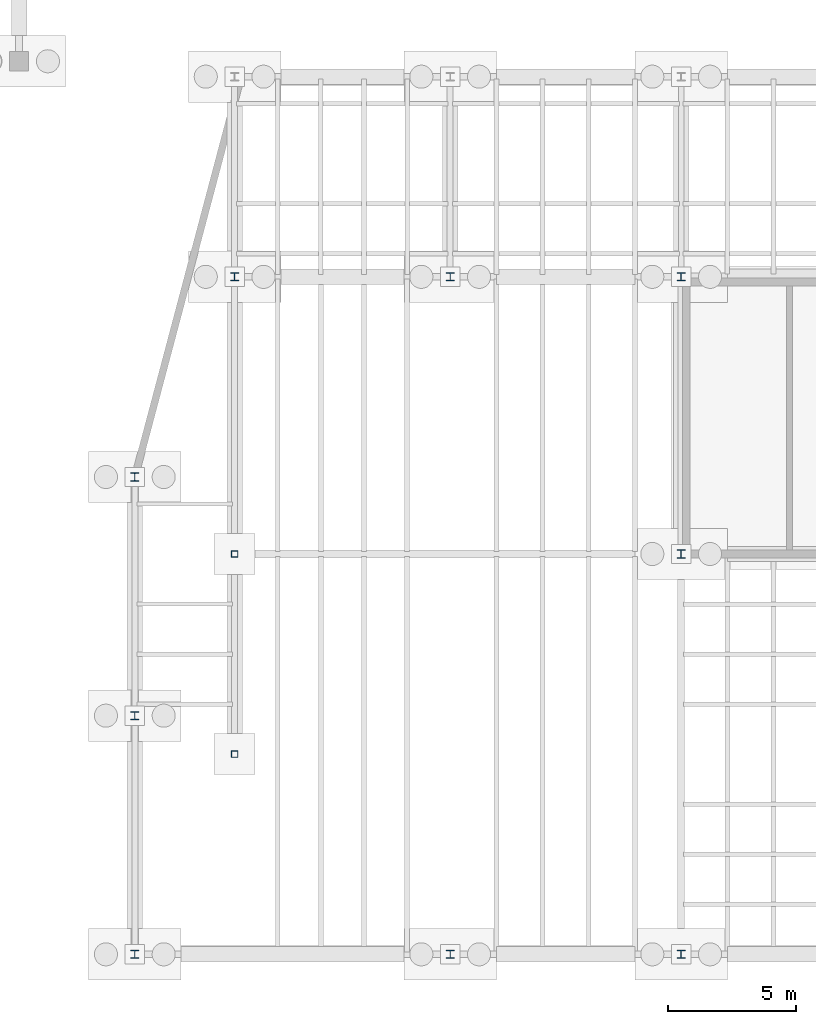
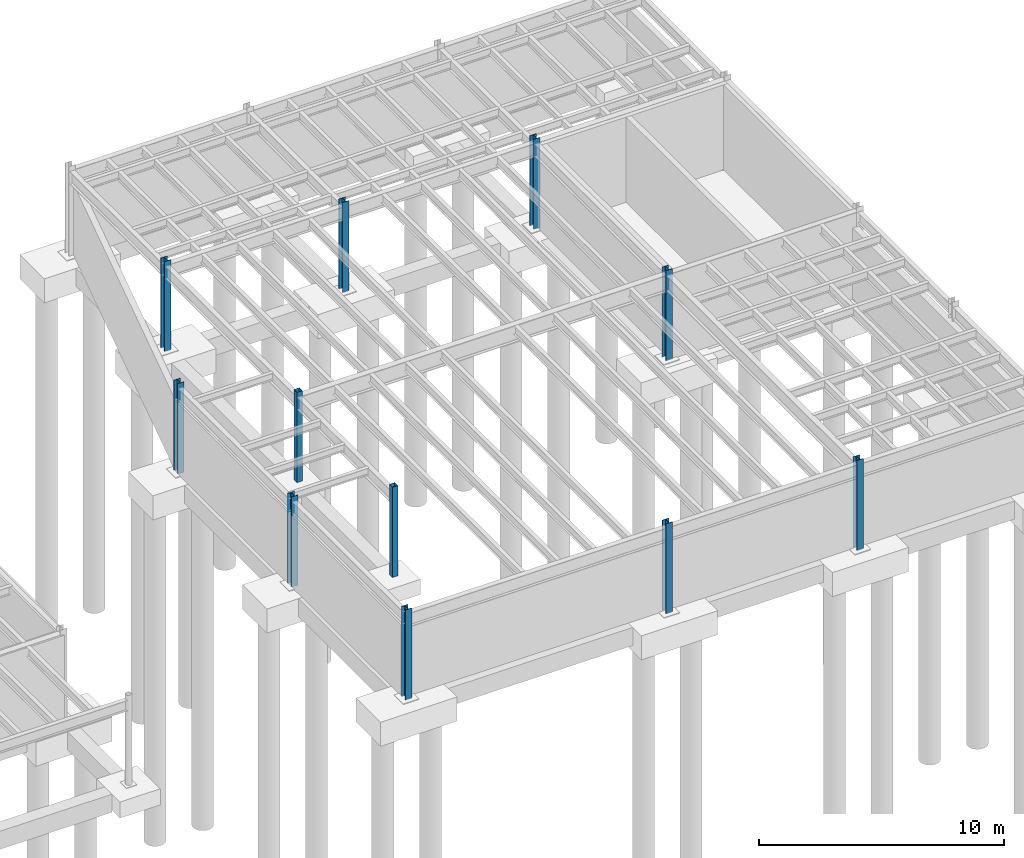
# One storey, part 21 of 41: 11 columns.
"""IFC4 building model written with IfcOpenShell, lengths in metres."""

import ifcopenshell
import ifcopenshell.guid

model = None  # the IFC model being written
_history = None  # IfcOwnerHistory: only IFC2X3 demands one
_inside = {}  # id of a spatial element -> (the spatial element, [elements in it])
_under = {}  # id of a project, library or spatial element -> (it, [spatial elements below it])
_declared = {}  # id of a project -> (the project, [libraries it declares])
_typed = {}  # id of a type object -> (the type object, [elements of that type])
_made_of = {}  # id of a material, layer set ... -> (it, [elements and type objects made of it])


def new_model(schema):
    """Start an empty IFC model of exactly this schema.

    Asked for "IFC4X3", IfcOpenShell would pick the latest addendum, in which some entities
    have other attributes; the version numbers below select the first issue.
    IFC2X3 requires an IfcOwnerHistory on every rooted entity: one is made here for all.
    """
    global model, _history
    if schema == "IFC4X3":
        model = ifcopenshell.file(schema_version=(4, 3, 0, 0))
    else:
        model = ifcopenshell.file(schema=schema)
    _inside.clear()
    _under.clear()
    _declared.clear()
    _typed.clear()
    _made_of.clear()
    _history = None
    if model.schema == "IFC2X3":
        org = make("IfcOrganization", Name="unknown")
        user = make(
            "IfcPersonAndOrganization",
            ThePerson=make("IfcPerson", FamilyName="unknown"),
            TheOrganization=org,
        )
        app = make(
            "IfcApplication",
            ApplicationDeveloper=org,
            Version="unknown",
            ApplicationFullName="unknown",
            ApplicationIdentifier="unknown",
        )
        _history = make(
            "IfcOwnerHistory",
            OwningUser=user,
            OwningApplication=app,
            ChangeAction="ADDED",
            CreationDate=0,
        )
    return model


def make(cls, **values):
    """One entity of the class cls with the attributes given. An attribute that is None is left unset."""
    return model.create_entity(
        cls, **{name: value for name, value in values.items() if value is not None}
    )


def rooted(cls, **values):
    """An entity with a GlobalId (a new one), such as an element, a storey or a relation."""
    return make(cls, GlobalId=ifcopenshell.guid.new(), OwnerHistory=_history, **values)


def si_unit(unit_type, name, prefix=None):
    """IfcSIUnit, for example si_unit("LENGTHUNIT", "METRE", prefix="MILLI")."""
    return make("IfcSIUnit", UnitType=unit_type, Prefix=prefix, Name=name)


def assignment(units):
    """IfcUnitAssignment: the units of a project."""
    return None if units is None else make("IfcUnitAssignment", Units=units)


def point(xyz):
    """IfcCartesianPoint."""
    return None if xyz is None else make("IfcCartesianPoint", Coordinates=xyz)


def direction(xyz):
    """IfcDirection."""
    return None if xyz is None else make("IfcDirection", DirectionRatios=xyz)


def frame(location, z_axis=None, x_axis=None):
    """IfcAxis2Placement3D, a coordinate frame: its origin and axes. An axis left out is left unset."""
    return make(
        "IfcAxis2Placement3D",
        Location=point(location),
        Axis=direction(z_axis),
        RefDirection=direction(x_axis),
    )


def frame_2d(location, x_axis=None):
    """IfcAxis2Placement2D, a coordinate frame in the plane: its origin and x axis."""
    return make(
        "IfcAxis2Placement2D", Location=point(location), RefDirection=direction(x_axis)
    )


def origin():
    """The frame at (0, 0, 0) with its axes left unset."""
    return frame((0.0, 0.0, 0.0))


def origin_2d():
    """The frame at (0, 0) in the plane with its x axis left unset."""
    return frame_2d((0.0, 0.0))


def place(relative_to, where):
    """IfcLocalPlacement: puts the frame where relative to a parent placement (None: the world)."""
    return make(
        "IfcLocalPlacement", PlacementRelTo=relative_to, RelativePlacement=where
    )


def context(
    kind, dimensions, precision=None, world=None, true_north=None, identifier=None
):
    """IfcGeometricRepresentationContext, for example the 3D "Model" context."""
    return make(
        "IfcGeometricRepresentationContext",
        ContextIdentifier=identifier,
        ContextType=kind,
        CoordinateSpaceDimension=dimensions,
        Precision=precision,
        WorldCoordinateSystem=world,
        TrueNorth=true_north,
    )


def subcontext(parent, identifier, kind, view, scale=None):
    """IfcGeometricRepresentationSubContext, for example "Body" below "Model"."""
    return make(
        "IfcGeometricRepresentationSubContext",
        ContextIdentifier=identifier,
        ContextType=kind,
        ParentContext=parent,
        TargetScale=scale,
        TargetView=view,
    )


def project(units=None, contexts=None):
    """IfcProject with its units and contexts."""
    return rooted(
        "IfcProject",
        Name="project",
        RepresentationContexts=contexts,
        UnitsInContext=assignment(units),
    )


def spatial(cls, under=None, at=None, **own):
    """A site, building, storey or space (cls), placed at a placement, below another one or the project."""
    s = rooted(cls, ObjectPlacement=at, **own)
    if under is not None:
        _under.setdefault(under.id(), (under, []))[1].append(s)
    return s


def profile(cls, at=None, kind="AREA", **sizes):
    """A parametric profile (cls). Its sizes go by their IFC names, for example OverallWidth=200.0."""
    return make(cls, ProfileType=kind, Position=at, **sizes)


def hollow_rectangle(**sizes):
    """IfcRectangleHollowProfileDef."""
    return profile("IfcRectangleHollowProfileDef", **sizes)


def i_section(**sizes):
    """IfcIShapeProfileDef."""
    return profile("IfcIShapeProfileDef", **sizes)


def extrude(swept, where, along, depth):
    """IfcExtrudedAreaSolid: the profile swept, set in the frame where, extruded along a direction by depth."""
    return make(
        "IfcExtrudedAreaSolid",
        SweptArea=swept,
        Position=where,
        ExtrudedDirection=direction(along),
        Depth=depth,
    )


def shape(context_of_items, identifier, shape_type, items):
    """IfcShapeRepresentation: the items that make up one representation, for example the "Body"."""
    return make(
        "IfcShapeRepresentation",
        ContextOfItems=context_of_items,
        RepresentationIdentifier=identifier,
        RepresentationType=shape_type,
        Items=items,
    )


def material(Name=None, Category=None):
    """IfcMaterial."""
    return make("IfcMaterial", Name=Name, Category=Category)


def material_profile(
    of_material, cross_section, Name=None, Category=None, Priority=None
):
    """IfcMaterialProfile: a cross section and its material."""
    return make(
        "IfcMaterialProfile",
        Name=Name,
        Material=of_material,
        Profile=cross_section,
        Priority=Priority,
        Category=Category,
    )


def profile_set(profiles, Name=None, composite=None):
    """IfcMaterialProfileSet."""
    return make(
        "IfcMaterialProfileSet",
        Name=Name,
        MaterialProfiles=profiles,
        CompositeProfile=composite,
    )


def made_of(thing, what):
    """Note that an element or type object is made of a material, layer set ...; save() writes the relation."""
    if what is not None:
        _made_of.setdefault(what.id(), (what, []))[1].append(thing)
    return thing


def type_object(cls, material=None, **own):
    """A type object (cls), such as IfcWallType, which elements share."""
    return made_of(rooted(cls, **own), material)


def element(
    cls,
    number,
    at=None,
    inside=None,
    cuts=None,
    type_object=None,
    material=None,
    context=None,
    identifier="Body",
    shape_type=None,
    held_by="IfcProductDefinitionShape",
    body=None,
    shapes=None,
    **own,
):
    """One element of the class cls, such as IfcWall. Its Tag is "e" and its number.

    at: its placement. inside: the storey or other place that contains it. cuts: it is an
    opening in that element (IfcRelVoidsElement). A single representation is given by context,
    identifier, shape_type and body (its items); several are given by shapes. held_by: the class
    of the entity that holds the representations. save() writes the other relations.
    """
    e = rooted(cls, Tag="e%d" % number, ObjectPlacement=at, **own)
    if body is not None:
        shapes = [shape(context, identifier, shape_type, body)]
    if shapes is not None:
        e.Representation = make(held_by, Representations=shapes)
    if inside is not None:
        _inside.setdefault(inside.id(), (inside, []))[1].append(e)
    if cuts is not None:
        rooted(
            "IfcRelVoidsElement", RelatingBuildingElement=cuts, RelatedOpeningElement=e
        )
    if type_object is not None:
        _typed.setdefault(type_object.id(), (type_object, []))[1].append(e)
    return made_of(e, material)


def aggregate(whole, parts):
    """IfcRelAggregates: a whole, such as a stair, and the parts it consists of."""
    return rooted("IfcRelAggregates", RelatingObject=whole, RelatedObjects=parts)


def save(model, path):
    """Write the relations noted so far, then the file.

    IfcRelAggregates (storeys below a building ...), IfcRelContainedInSpatialStructure (elements
    in a storey), IfcRelDefinesByType, IfcRelAssociatesMaterial and IfcRelDeclares: one each for
    every whole, place, type object, material and project.
    """
    for whole, parts in _under.values():
        aggregate(whole, parts)
    for where, things in _inside.values():
        rooted(
            "IfcRelContainedInSpatialStructure",
            RelatedElements=things,
            RelatingStructure=where,
        )
    for kind, things in _typed.values():
        rooted("IfcRelDefinesByType", RelatedObjects=things, RelatingType=kind)
    for what, things in _made_of.values():
        rooted("IfcRelAssociatesMaterial", RelatedObjects=things, RelatingMaterial=what)
    for by, libraries in _declared.values():
        rooted("IfcRelDeclares", RelatingContext=by, RelatedDefinitions=libraries)
    model.write(path)


model = new_model("IFC4")

# Units and contexts
model_context = context("Model", 3, precision=1e-05, world=origin(), true_north=direction((0.0, 1.0)))
body_context = subcontext(model_context, "Body", "Model", "MODEL_VIEW")
ifc_project = project(units=[si_unit("LENGTHUNIT", "METRE"), si_unit("AREAUNIT", "SQUARE_METRE"), si_unit("VOLUMEUNIT", "CUBIC_METRE"), si_unit("PLANEANGLEUNIT", "RADIAN"), si_unit("MASSUNIT", "GRAM", prefix="KILO")], contexts=[model_context])

# Site, building, storey
site_placement = place(None, origin())
site = spatial("IfcSite", under=ifc_project, at=site_placement, CompositionType="ELEMENT")
building_placement = place(site_placement, origin())
building = spatial("IfcBuilding", under=site, at=building_placement, Name="Selat Folded Stagehouse", CompositionType="ELEMENT")
storey_placement = place(building_placement, frame((0.0, 0.0, -4.5)))
storey = spatial("IfcBuildingStorey", under=building, at=storey_placement, Name="B1", CompositionType="ELEMENT", Elevation=-4.5)

# Columns
ifc_material = material(Name="Steel S355", Category="steel")
ifc_material_profile_1 = material_profile(ifc_material, i_section(OverallWidth=0.30908203125, OverallDepth=0.320556640625, WebThickness=0.013916015625, FlangeThickness=0.021728515625, FilletRadius=0.01513671875, at=origin_2d()), Name="UKC 305x305x137")
ifc_profile_set_1 = profile_set([ifc_material_profile_1], Name="Steel S355")
column_type_1 = type_object("IfcColumnType", Name="COL-UKC-305x305x137", PredefinedType="COLUMN", material=ifc_profile_set_1)
for number, where, z_axis, x_axis, name in (
    (1, (130.510498046875, 0.0, 0.0), (0.0, 0.0, 1.0), (1.0, 0.0, 0.0), "B1 column STK-V3-00"),
    (2, (130.510498046875, 9.300048828125, 0.0), (0.0, 0.0, 1.0), (1.0, 0.0, 0.0), "B1 column STK-V3-01"),
    (3, (130.510498046875, 18.60009765625, 0.0), (0.0, 0.0, 1.0), (1.0, 0.0, 0.0), "B1 column STK-V3-02"),
    (4, (134.39990234375, 26.39990234375, 0.0), (0.0, 0.0, 1.0), (1.0, 0.0, 0.0), "B1 column STK-V3-03"),
    (5, (142.800048828125, 0.0, 0.0), (0.0, 0.0, 1.0), (1.0, 0.0, 0.0), "B1 column STK-V3-05"),
    (6, (142.800048828125, 26.39990234375, 0.0), (0.0, 0.0, 1.0), (1.0, 0.0, 0.0), "B1 column STK-V3-06"),
    (7, (151.800048828125, 0.0, 0.0), (0.0, 0.0, 1.0), (1.0, 0.0, 0.0), "B1 column STK-V3-08"),
    (8, (151.800048828125, 15.60009765625, 0.0), (0.0, 0.0, 1.0), (1.0, 0.0, 0.0), "B1 column STK-V3-09"),
    (9, (151.800048828125, 26.39990234375, 0.0), (0.0, 0.0, 1.0), (1.0, 0.0, 0.0), "B1 column STK-V3-10"),
):
    element("IfcColumn", number, at=place(storey_placement, frame(where, z_axis=z_axis, x_axis=x_axis)), inside=storey, type_object=column_type_1, Name=name, PredefinedType="COLUMN", context=body_context, shape_type="SweptSolid", body=[
        extrude(i_section(OverallWidth=0.30908203125, OverallDepth=0.320556640625, WebThickness=0.013916015625, FlangeThickness=0.021728515625, FilletRadius=0.01513671875, at=origin_2d()), origin(), (0.0, 0.0, 1.0), 4.5),
    ])
ifc_material_profile_2 = material_profile(ifc_material, hollow_rectangle(XDim=0.25, YDim=0.25, WallThickness=0.012451171875, at=origin_2d()), Name="SHS 250x250x12.5")
ifc_profile_set_2 = profile_set([ifc_material_profile_2], Name="Steel S355")
column_type_2 = type_object("IfcColumnType", Name="PIL-SHS-250x250", PredefinedType="PILASTER", material=ifc_profile_set_2)
for number, where, z_axis, x_axis, name in (
    (10, (134.39990234375, 7.800048828125, 0.0), (0.0, 0.0, 1.0), (1.0, 0.0, 0.0), "B1 pilaster 3"),
    (11, (134.39990234375, 15.60009765625, 0.0), (0.0, 0.0, 1.0), (1.0, 0.0, 0.0), "B1 pilaster 4"),
):
    element("IfcColumn", number, at=place(storey_placement, frame(where, z_axis=z_axis, x_axis=x_axis)), inside=storey, type_object=column_type_2, Name=name, PredefinedType="PILASTER", context=body_context, shape_type="SweptSolid", body=[
        extrude(hollow_rectangle(XDim=0.25, YDim=0.25, WallThickness=0.012451171875, at=origin_2d()), origin(), (0.0, 0.0, 1.0), 4.5),
    ])

save(model, "model.ifc")
